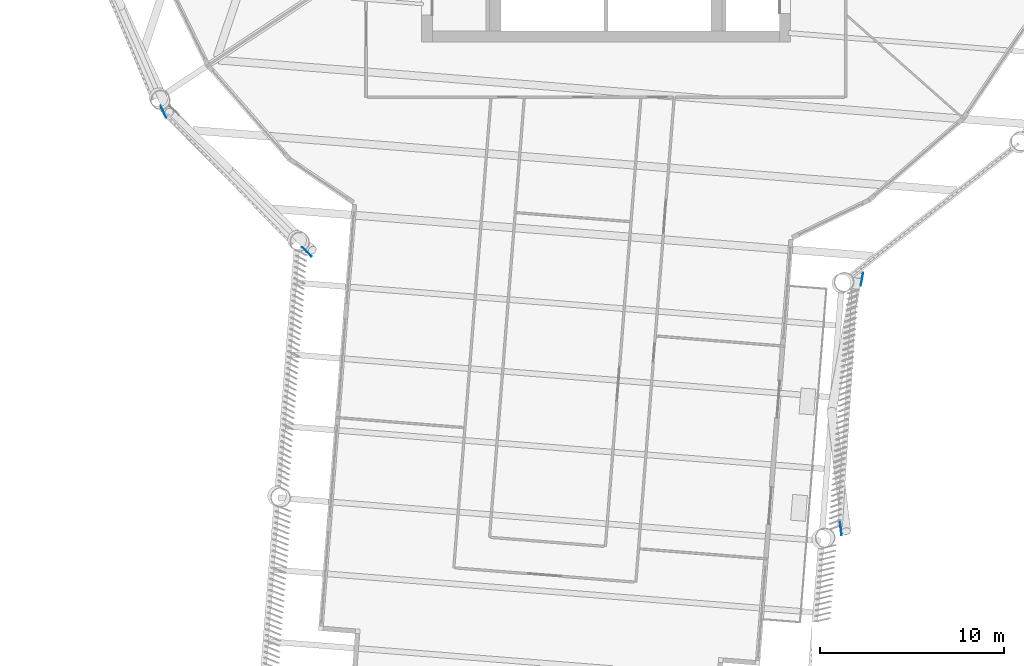
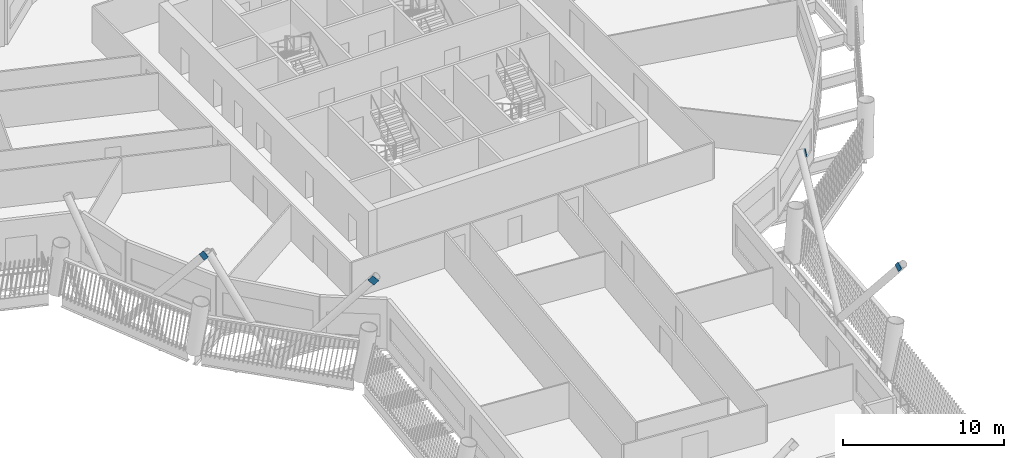
# One storey, part 8 of 21: 4 discrete accessories.
"""IFC4 building model written with IfcOpenShell, lengths in metres."""

from ifc_helpers import new_model, si_unit, direction, frame, origin, origin_2d, place, context, subcontext, project, spatial, rectangle, extrude, material, material_profile, profile_set, type_object, element, save


model = new_model("IFC4")

# Units and contexts
model_context = context("Model", 3, precision=1e-05, world=origin(), true_north=direction((0.0, 1.0)))
body_context = subcontext(model_context, "Body", "Model", "MODEL_VIEW")
ifc_project = project(units=[si_unit("LENGTHUNIT", "METRE"), si_unit("AREAUNIT", "SQUARE_METRE"), si_unit("VOLUMEUNIT", "CUBIC_METRE"), si_unit("PLANEANGLEUNIT", "RADIAN"), si_unit("MASSUNIT", "GRAM", prefix="KILO")], contexts=[model_context])

# Site, building, storey
site_placement = place(None, origin())
site = spatial("IfcSite", under=ifc_project, at=site_placement, CompositionType="ELEMENT")
building_placement = place(site_placement, origin())
building = spatial("IfcBuilding", under=site, at=building_placement, Name="Tarsis Ring Headquarters", CompositionType="ELEMENT")
storey_placement = place(building_placement, frame((0.0, 0.0, 208.199951171875)))
storey = spatial("IfcBuildingStorey", under=building, at=storey_placement, Name="L48", CompositionType="ELEMENT", Elevation=208.199951171875)

# Discrete accessories
ifc_material = material(Name="Structural steel S355", Category="steel")
ifc_material_profile = material_profile(ifc_material, rectangle(XDim=0.02490234375, YDim=0.5, at=origin_2d()), Name="PL 25x500")
ifc_profile_set = profile_set([ifc_material_profile], Name="Structural steel S355")
discrete_accessory_type = type_object("IfcDiscreteAccessoryType", Name="Gusset plate Exo brace 25", PredefinedType="BRACKET", material=ifc_profile_set)
discrete_accessory_1_placement = place(storey_placement, frame((-16.10400390625, -24.489990234375, 7.800048828125), z_axis=(-0.453124891967, 0.438964739093, -0.775878721266), x_axis=(-0.695795215827, -0.718240222789, 0.0)))
element("IfcDiscreteAccessory", 1, at=discrete_accessory_1_placement, inside=storey, type_object=discrete_accessory_type, Name="Gusset plate GP5", PredefinedType="BRACKET", context=body_context, shape_type="SweptSolid", body=[
    extrude(rectangle(XDim=0.02490234375, YDim=0.5, at=origin_2d()), origin(), (0.0, 0.0, 1.0), 0.5),
])
discrete_accessory_2_placement = place(storey_placement, frame((13.91259765625, -25.69140625, 7.800048828125), z_axis=(-0.130826300679, -0.680980184505, -0.720520969412), x_axis=(0.982041578383, -0.188664618643, 0.0)))
element("IfcDiscreteAccessory", 2, at=discrete_accessory_2_placement, inside=storey, type_object=discrete_accessory_type, Name="Gusset plate GP5", PredefinedType="BRACKET", context=body_context, shape_type="SweptSolid", body=[
    extrude(rectangle(XDim=0.02490234375, YDim=0.5, at=origin_2d()), origin(), (0.0, 0.0, 1.0), 0.500244140625),
])
for number, where, z_axis, x_axis, name in (
    (3, (12.755615234375, -39.56103515625, 7.800048828125), (-0.076642488302, 0.639501017043, -0.764960376875), (-0.992894759456, -0.118995784149, 0.0), "Gusset plate GP5"),
    (4, (-23.920654296875, -16.93798828125, 7.800048828125), (-0.262219191269, 0.573757075867, -0.77591488813), (-0.909516283622, -0.415668293025, 0.0), "Gusset plate GP5"),
):
    element("IfcDiscreteAccessory", number, at=place(storey_placement, frame(where, z_axis=z_axis, x_axis=x_axis)), inside=storey, type_object=discrete_accessory_type, Name=name, PredefinedType="BRACKET", context=body_context, shape_type="SweptSolid", body=[
        extrude(rectangle(XDim=0.02490234375, YDim=0.5, at=origin_2d()), origin(), (0.0, 0.0, 1.0), 0.5),
    ])

save(model, "model.ifc")
